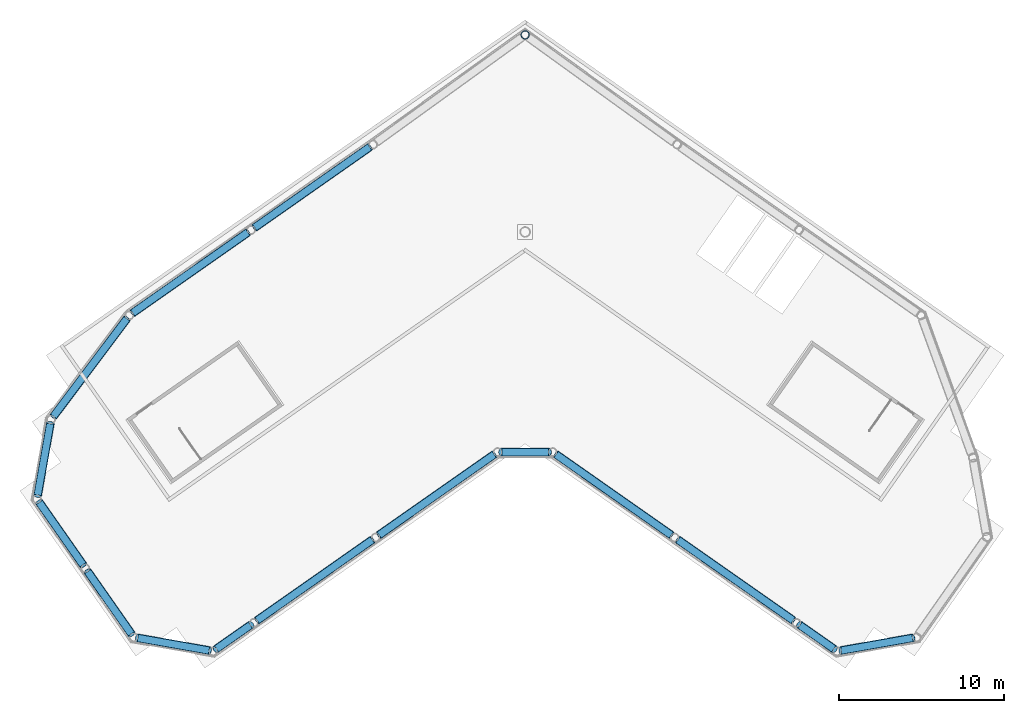
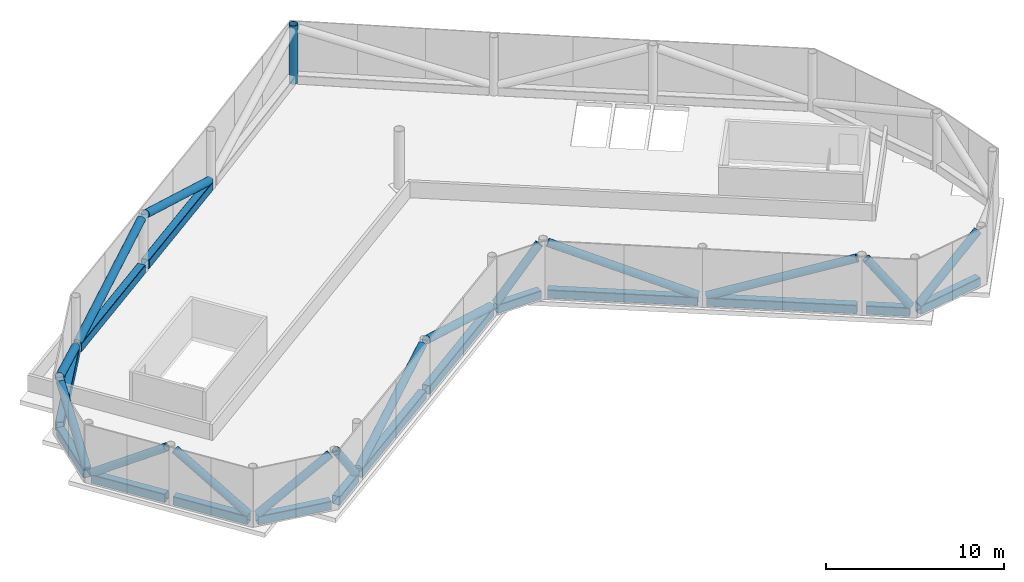
# One storey, part 2 of 4: 15 beams, 15 members, 1 column.
"""IFC4 building model written with IfcOpenShell, lengths in metres."""

from ifc_helpers import new_model, si_unit, direction, frame, origin, origin_2d, place, context, subcontext, project, spatial, hollow_rectangle, hollow_circle, extrude, material, material_profile, profile_set, type_object, element, save


model = new_model("IFC4")

# Units and contexts
model_context = context("Model", 3, precision=1e-05, world=origin(), true_north=direction((0.0, 1.0)))
body_context = subcontext(model_context, "Body", "Model", "MODEL_VIEW")
ifc_project = project(units=[si_unit("LENGTHUNIT", "METRE"), si_unit("AREAUNIT", "SQUARE_METRE"), si_unit("VOLUMEUNIT", "CUBIC_METRE"), si_unit("PLANEANGLEUNIT", "RADIAN"), si_unit("MASSUNIT", "GRAM", prefix="KILO")], contexts=[model_context])

# Site, building, storey
site_placement = place(None, origin())
site = spatial("IfcSite", under=ifc_project, at=site_placement, CompositionType="ELEMENT")
building_placement = place(site_placement, origin())
building = spatial("IfcBuilding", under=site, at=building_placement, Name="Tel Ilan Convention Tower", CompositionType="ELEMENT")
storey_placement = place(building_placement, frame((0.0, 0.0, 318.800048828125)))
storey = spatial("IfcBuildingStorey", under=building, at=storey_placement, Name="L75", CompositionType="ELEMENT", Elevation=318.800048828125)

# Column
ifc_material_1 = material(Name="Steel S355", Category="steel")
ifc_material_profile_1 = material_profile(ifc_material_1, hollow_circle(Radius=0.25390625, WallThickness=0.02490234375, at=origin_2d()), Name="CHS 508x25")
ifc_profile_set_1 = profile_set([ifc_material_profile_1], Name="Steel S355")
column_type = type_object("IfcColumnType", Name="CROWN FRAME COLUMN CHS 508x25", PredefinedType="COLUMN", material=ifc_profile_set_1)
column_placement = place(storey_placement, frame((0.0, 11.91796875, 0.0), z_axis=(0.0, 0.0, 1.0), x_axis=(1.0, 0.0, 0.0)))
element("IfcColumn", 1, at=column_placement, inside=storey, type_object=column_type, Name="CROWN FRAME column", PredefinedType="COLUMN", context=body_context, shape_type="SweptSolid", body=[
    extrude(hollow_circle(Radius=0.25390625, WallThickness=0.02490234375, at=origin_2d()), origin(), (0.0, 0.0, 1.0), 4.0),
])

# Members
ifc_material_2 = material(Name="Steel S355", Category="steel")
ifc_material_profile_2 = material_profile(ifc_material_2, hollow_circle(Radius=0.25390625, WallThickness=0.01611328125, at=origin_2d()), Name="CHS 508x16")
ifc_profile_set_2 = profile_set([ifc_material_profile_2], Name="Steel S355")
member_type = type_object("IfcMemberType", Name="CROWN FRAME BRACE CHS 508x16", PredefinedType="BRACE", material=ifc_profile_set_2)
member_1_placement = place(storey_placement, frame((-18.658935546875, -25.212158203125, 3.699951171875), z_axis=(0.513154068294, 0.359391994003, -0.779429468804), x_axis=(-0.573659598331, 0.819093807352, 0.0)))
element("IfcMember", 2, at=member_1_placement, inside=storey, type_object=member_type, Name="CROWN FRAME brace", PredefinedType="BRACE", context=body_context, shape_type="SweptSolid", body=[
    extrude(hollow_circle(Radius=0.25390625, WallThickness=0.01611328125, at=origin_2d()), origin(), (0.0, 0.0, 1.0), 3.977294921875),
])
member_2_placement = place(storey_placement, frame((-16.201904296875, -23.4912109375, 0.599853515625), z_axis=(0.769471121949, 0.538799932711, 0.342941430856), x_axis=(-0.573583902989, 0.819146816042, 0.0)))
element("IfcMember", 3, at=member_2_placement, inside=storey, type_object=member_type, Name="CROWN FRAME brace", PredefinedType="BRACE", context=body_context, shape_type="SweptSolid", body=[
    extrude(hollow_circle(Radius=0.25390625, WallThickness=0.01611328125, at=origin_2d()), origin(), (0.0, 0.0, 1.0), 9.039794921875),
])
member_3_placement = place(storey_placement, frame((-8.829833984375, -18.329345703125, 3.699951171875), z_axis=(0.76951518345, 0.538755146862, -0.342912925055), x_axis=(-0.57352987213, 0.819184646935, 0.0)))
element("IfcMember", 4, at=member_3_placement, inside=storey, type_object=member_type, Name="CROWN FRAME brace", PredefinedType="BRACE", context=body_context, shape_type="SweptSolid", body=[
    extrude(hollow_circle(Radius=0.25390625, WallThickness=0.01611328125, at=origin_2d()), origin(), (0.0, 0.0, 1.0), 9.04052734375),
])
member_4_placement = place(storey_placement, frame((-1.410888671875, -13.31298828125, 0.599853515625), z_axis=(0.673130674321, 0.0, 0.739523559658), x_axis=(0.0, 1.0, 0.0)))
element("IfcMember", 5, at=member_4_placement, inside=storey, type_object=member_type, Name="CROWN FRAME brace", PredefinedType="BRACE", context=body_context, shape_type="SweptSolid", body=[
    extrude(hollow_circle(Radius=0.25390625, WallThickness=0.01611328125, at=origin_2d()), origin(), (0.0, 0.0, 1.0), 4.192138671875),
])
member_5_placement = place(storey_placement, frame((1.873046875, -13.458740234375, 3.699951171875), z_axis=(0.76951518345, -0.538755146862, -0.342912925055), x_axis=(0.57352987213, 0.819184646935, 0.0)))
element("IfcMember", 6, at=member_5_placement, inside=storey, type_object=member_type, Name="CROWN FRAME brace", PredefinedType="BRACE", context=body_context, shape_type="SweptSolid", body=[
    extrude(hollow_circle(Radius=0.25390625, WallThickness=0.01611328125, at=origin_2d()), origin(), (0.0, 0.0, 1.0), 9.04052734375),
])
member_6_placement = place(storey_placement, frame((9.24609375, -18.62060546875, 0.599853515625), z_axis=(0.769471121949, -0.538799932711, 0.342941430856), x_axis=(0.573583902989, 0.819146816042, 0.0)))
element("IfcMember", 7, at=member_6_placement, inside=storey, type_object=member_type, Name="CROWN FRAME brace", PredefinedType="BRACE", context=body_context, shape_type="SweptSolid", body=[
    extrude(hollow_circle(Radius=0.25390625, WallThickness=0.01611328125, at=origin_2d()), origin(), (0.0, 0.0, 1.0), 9.039794921875),
])
member_7_placement = place(storey_placement, frame((16.617919921875, -23.78271484375, 3.699951171875), z_axis=(0.513154068294, -0.359391994003, -0.779429468804), x_axis=(0.573659598331, 0.819093807352, 0.0)))
element("IfcMember", 8, at=member_7_placement, inside=storey, type_object=member_type, Name="CROWN FRAME brace", PredefinedType="BRACE", context=body_context, shape_type="SweptSolid", body=[
    extrude(hollow_circle(Radius=0.25390625, WallThickness=0.01611328125, at=origin_2d()), origin(), (0.0, 0.0, 1.0), 3.977294921875),
])
member_8_placement = place(storey_placement, frame((19.1171875, -25.31396484375, 0.599853515625), z_axis=(0.803293693883, 0.141596914734, 0.5785063138), x_axis=(-0.173594152601, 0.984817277561, 0.0)))
element("IfcMember", 9, at=member_8_placement, inside=storey, type_object=member_type, Name="CROWN FRAME brace", PredefinedType="BRACE", context=body_context, shape_type="SweptSolid", body=[
    extrude(hollow_circle(Radius=0.25390625, WallThickness=0.01611328125, at=origin_2d()), origin(), (0.0, 0.0, 1.0), 5.35888671875),
])
member_9_placement = place(storey_placement, frame((-9.401123046875, 5.13720703125, 0.599853515625), z_axis=(-0.769471121949, -0.538799932711, 0.342941430856), x_axis=(0.573583902989, -0.819146816042, 0.0)))
element("IfcMember", 10, at=member_9_placement, inside=storey, type_object=member_type, Name="CROWN FRAME brace", PredefinedType="BRACE", context=body_context, shape_type="SweptSolid", body=[
    extrude(hollow_circle(Radius=0.25390625, WallThickness=0.01611328125, at=origin_2d()), origin(), (0.0, 0.0, 1.0), 9.039794921875),
])
member_10_placement = place(storey_placement, frame((-16.77294921875, -0.024658203125, 3.699951171875), z_axis=(-0.769437350705, -0.538865397163, -0.342914343649), x_axis=(0.573647554936, -0.819102241918, 0.0)))
element("IfcMember", 11, at=member_10_placement, inside=storey, type_object=member_type, Name="CROWN FRAME brace", PredefinedType="BRACE", context=body_context, shape_type="SweptSolid", body=[
    extrude(hollow_circle(Radius=0.25390625, WallThickness=0.01611328125, at=origin_2d()), origin(), (0.0, 0.0, 1.0), 9.04052734375),
])
member_11_placement = place(storey_placement, frame((-24.089599609375, -5.2451171875, 0.599853515625), z_axis=(-0.553791108922, -0.73714807924, 0.387205522884), x_axis=(0.799515545431, -0.600645396731, 0.0)))
element("IfcMember", 12, at=member_11_placement, inside=storey, type_object=member_type, Name="CROWN FRAME brace", PredefinedType="BRACE", context=body_context, shape_type="SweptSolid", body=[
    extrude(hollow_circle(Radius=0.25390625, WallThickness=0.01611328125, at=origin_2d()), origin(), (0.0, 0.0, 1.0), 8.00634765625),
])
member_12_placement = place(storey_placement, frame((-28.72021484375, -11.60009765625, 3.699951171875), z_axis=(-0.141596914734, -0.803293693883, -0.5785063138), x_axis=(0.984817277561, -0.173594152601, 0.0)))
element("IfcMember", 13, at=member_12_placement, inside=storey, type_object=member_type, Name="CROWN FRAME brace", PredefinedType="BRACE", context=body_context, shape_type="SweptSolid", body=[
    extrude(hollow_circle(Radius=0.25390625, WallThickness=0.01611328125, at=origin_2d()), origin(), (0.0, 0.0, 1.0), 5.35888671875),
])
member_13_placement = place(storey_placement, frame((-29.37744140625, -16.363037109375, 0.599853515625), z_axis=(0.475349575, -0.678963811751, 0.559509538686), x_axis=(0.819189459192, 0.573522998622, 0.0)))
element("IfcMember", 14, at=member_13_placement, inside=storey, type_object=member_type, Name="CROWN FRAME brace", PredefinedType="BRACE", context=body_context, shape_type="SweptSolid", body=[
    extrude(hollow_circle(Radius=0.25390625, WallThickness=0.01611328125, at=origin_2d()), origin(), (0.0, 0.0, 1.0), 5.540771484375),
])
member_14_placement = place(storey_placement, frame((-26.452392578125, -20.541015625, 3.699951171875), z_axis=(0.475485983849, -0.678906924123, -0.559462659648), x_axis=(0.819089549842, 0.573665677324, 0.0)))
element("IfcMember", 15, at=member_14_placement, inside=storey, type_object=member_type, Name="CROWN FRAME brace", PredefinedType="BRACE", context=body_context, shape_type="SweptSolid", body=[
    extrude(hollow_circle(Radius=0.25390625, WallThickness=0.01611328125, at=origin_2d()), origin(), (0.0, 0.0, 1.0), 5.541259765625),
])
member_15_placement = place(storey_placement, frame((-23.421875, -24.55517578125, 0.599853515625), z_axis=(0.803293693883, -0.141596914734, 0.5785063138), x_axis=(0.173594152601, 0.984817277561, 0.0)))
element("IfcMember", 16, at=member_15_placement, inside=storey, type_object=member_type, Name="CROWN FRAME brace", PredefinedType="BRACE", context=body_context, shape_type="SweptSolid", body=[
    extrude(hollow_circle(Radius=0.25390625, WallThickness=0.01611328125, at=origin_2d()), origin(), (0.0, 0.0, 1.0), 5.35888671875),
])

# Beams
ifc_material_3 = material(Name="Steel S355", Category="steel")
ifc_material_profile_3 = material_profile(ifc_material_3, hollow_rectangle(XDim=0.5, YDim=0.60009765625, WallThickness=0.02490234375, InnerFilletRadius=0.02490234375, OuterFilletRadius=0.050048828125, at=origin_2d()), Name="RHS 600x500x25")
ifc_profile_set_3 = profile_set([ifc_material_profile_3], Name="Steel S355")
beam_type = type_object("IfcBeamType", Name="CROWN FRAME RING BEAM RHS 600x500x25", PredefinedType="BEAM", material=ifc_profile_set_3)
beam_1_placement = place(storey_placement, frame((-18.658935546875, -25.212158203125, 0.300048828125), z_axis=(0.819093807352, 0.573659598331, 0.0), x_axis=(-0.573659598331, 0.819093807352, 0.0)))
element("IfcBeam", 17, at=beam_1_placement, inside=storey, type_object=beam_type, Name="CROWN FRAME ring beam", PredefinedType="BEAM", context=body_context, shape_type="SweptSolid", body=[
    extrude(hollow_rectangle(XDim=0.5, YDim=0.60009765625, WallThickness=0.02490234375, InnerFilletRadius=0.02490234375, OuterFilletRadius=0.050048828125, at=origin_2d()), origin(), (0.0, 0.0, 1.0), 2.49169921875),
])
beam_2_placement = place(storey_placement, frame((-16.201904296875, -23.4912109375, 0.300048828125), z_axis=(0.819146816042, 0.573583902989, 0.0), x_axis=(-0.573583902989, 0.819146816042, 0.0)))
element("IfcBeam", 18, at=beam_2_placement, inside=storey, type_object=beam_type, Name="CROWN FRAME ring beam", PredefinedType="BEAM", context=body_context, shape_type="SweptSolid", body=[
    extrude(hollow_rectangle(XDim=0.5, YDim=0.60009765625, WallThickness=0.02490234375, InnerFilletRadius=0.02490234375, OuterFilletRadius=0.050048828125, at=origin_2d()), origin(), (0.0, 0.0, 1.0), 8.491455078125),
])
beam_3_placement = place(storey_placement, frame((-8.829833984375, -18.329345703125, 0.300048828125), z_axis=(0.819184646935, 0.57352987213, 0.0), x_axis=(-0.57352987213, 0.819184646935, 0.0)))
element("IfcBeam", 19, at=beam_3_placement, inside=storey, type_object=beam_type, Name="CROWN FRAME ring beam", PredefinedType="BEAM", context=body_context, shape_type="SweptSolid", body=[
    extrude(hollow_rectangle(XDim=0.5, YDim=0.60009765625, WallThickness=0.02490234375, InnerFilletRadius=0.02490234375, OuterFilletRadius=0.050048828125, at=origin_2d()), origin(), (0.0, 0.0, 1.0), 8.492431640625),
])
beam_4_placement = place(storey_placement, frame((-1.410888671875, -13.31298828125, 0.300048828125), z_axis=(1.0, 0.0, 0.0), x_axis=(0.0, 1.0, 0.0)))
element("IfcBeam", 20, at=beam_4_placement, inside=storey, type_object=beam_type, Name="CROWN FRAME ring beam", PredefinedType="BEAM", context=body_context, shape_type="SweptSolid", body=[
    extrude(hollow_rectangle(XDim=0.5, YDim=0.60009765625, WallThickness=0.02490234375, InnerFilletRadius=0.02490234375, OuterFilletRadius=0.050048828125, at=origin_2d()), origin(), (0.0, 0.0, 1.0), 2.82177734375),
])
beam_5_placement = place(storey_placement, frame((1.873046875, -13.458740234375, 0.300048828125), z_axis=(0.819184646935, -0.57352987213, 0.0), x_axis=(0.57352987213, 0.819184646935, 0.0)))
element("IfcBeam", 21, at=beam_5_placement, inside=storey, type_object=beam_type, Name="CROWN FRAME ring beam", PredefinedType="BEAM", context=body_context, shape_type="SweptSolid", body=[
    extrude(hollow_rectangle(XDim=0.5, YDim=0.60009765625, WallThickness=0.02490234375, InnerFilletRadius=0.02490234375, OuterFilletRadius=0.050048828125, at=origin_2d()), origin(), (0.0, 0.0, 1.0), 8.492431640625),
])
beam_6_placement = place(storey_placement, frame((9.24609375, -18.62060546875, 0.300048828125), z_axis=(0.819146816042, -0.573583902989, 0.0), x_axis=(0.573583902989, 0.819146816042, 0.0)))
element("IfcBeam", 22, at=beam_6_placement, inside=storey, type_object=beam_type, Name="CROWN FRAME ring beam", PredefinedType="BEAM", context=body_context, shape_type="SweptSolid", body=[
    extrude(hollow_rectangle(XDim=0.5, YDim=0.60009765625, WallThickness=0.02490234375, InnerFilletRadius=0.02490234375, OuterFilletRadius=0.050048828125, at=origin_2d()), origin(), (0.0, 0.0, 1.0), 8.491455078125),
])
beam_7_placement = place(storey_placement, frame((16.617919921875, -23.78271484375, 0.300048828125), z_axis=(0.819093807352, -0.573659598331, 0.0), x_axis=(0.573659598331, 0.819093807352, 0.0)))
element("IfcBeam", 23, at=beam_7_placement, inside=storey, type_object=beam_type, Name="CROWN FRAME ring beam", PredefinedType="BEAM", context=body_context, shape_type="SweptSolid", body=[
    extrude(hollow_rectangle(XDim=0.5, YDim=0.60009765625, WallThickness=0.02490234375, InnerFilletRadius=0.02490234375, OuterFilletRadius=0.050048828125, at=origin_2d()), origin(), (0.0, 0.0, 1.0), 2.49169921875),
])
beam_8_placement = place(storey_placement, frame((19.1171875, -25.31396484375, 0.300048828125), z_axis=(0.984817277561, 0.173594152601, 0.0), x_axis=(-0.173594152601, 0.984817277561, 0.0)))
element("IfcBeam", 24, at=beam_8_placement, inside=storey, type_object=beam_type, Name="CROWN FRAME ring beam", PredefinedType="BEAM", context=body_context, shape_type="SweptSolid", body=[
    extrude(hollow_rectangle(XDim=0.5, YDim=0.60009765625, WallThickness=0.02490234375, InnerFilletRadius=0.02490234375, OuterFilletRadius=0.050048828125, at=origin_2d()), origin(), (0.0, 0.0, 1.0), 4.37109375),
])
beam_9_placement = place(storey_placement, frame((-9.401123046875, 5.13720703125, 0.300048828125), z_axis=(-0.819146816042, -0.573583902989, 0.0), x_axis=(0.573583902989, -0.819146816042, 0.0)))
element("IfcBeam", 25, at=beam_9_placement, inside=storey, type_object=beam_type, Name="CROWN FRAME ring beam", PredefinedType="BEAM", context=body_context, shape_type="SweptSolid", body=[
    extrude(hollow_rectangle(XDim=0.5, YDim=0.60009765625, WallThickness=0.02490234375, InnerFilletRadius=0.02490234375, OuterFilletRadius=0.050048828125, at=origin_2d()), origin(), (0.0, 0.0, 1.0), 8.491455078125),
])
beam_10_placement = place(storey_placement, frame((-16.77294921875, -0.024658203125, 0.300048828125), z_axis=(-0.819102241918, -0.573647554936, 0.0), x_axis=(0.573647554936, -0.819102241918, 0.0)))
element("IfcBeam", 26, at=beam_10_placement, inside=storey, type_object=beam_type, Name="CROWN FRAME ring beam", PredefinedType="BEAM", context=body_context, shape_type="SweptSolid", body=[
    extrude(hollow_rectangle(XDim=0.5, YDim=0.60009765625, WallThickness=0.02490234375, InnerFilletRadius=0.02490234375, OuterFilletRadius=0.050048828125, at=origin_2d()), origin(), (0.0, 0.0, 1.0), 8.4921875),
])
beam_11_placement = place(storey_placement, frame((-24.089599609375, -5.2451171875, 0.300048828125), z_axis=(-0.600645396731, -0.799515545431, 0.0), x_axis=(0.799515545431, -0.600645396731, 0.0)))
element("IfcBeam", 27, at=beam_11_placement, inside=storey, type_object=beam_type, Name="CROWN FRAME ring beam", PredefinedType="BEAM", context=body_context, shape_type="SweptSolid", body=[
    extrude(hollow_rectangle(XDim=0.5, YDim=0.60009765625, WallThickness=0.02490234375, InnerFilletRadius=0.02490234375, OuterFilletRadius=0.050048828125, at=origin_2d()), origin(), (0.0, 0.0, 1.0), 7.3818359375),
])
beam_12_placement = place(storey_placement, frame((-28.72021484375, -11.60009765625, 0.300048828125), z_axis=(-0.173594152601, -0.984817277561, 0.0), x_axis=(0.984817277561, -0.173594152601, 0.0)))
element("IfcBeam", 28, at=beam_12_placement, inside=storey, type_object=beam_type, Name="CROWN FRAME ring beam", PredefinedType="BEAM", context=body_context, shape_type="SweptSolid", body=[
    extrude(hollow_rectangle(XDim=0.5, YDim=0.60009765625, WallThickness=0.02490234375, InnerFilletRadius=0.02490234375, OuterFilletRadius=0.050048828125, at=origin_2d()), origin(), (0.0, 0.0, 1.0), 4.37109375),
])
beam_13_placement = place(storey_placement, frame((-29.37744140625, -16.363037109375, 0.300048828125), z_axis=(0.573522998622, -0.819189459192, 0.0), x_axis=(0.819189459192, 0.573522998622, 0.0)))
element("IfcBeam", 29, at=beam_13_placement, inside=storey, type_object=beam_type, Name="CROWN FRAME ring beam", PredefinedType="BEAM", context=body_context, shape_type="SweptSolid", body=[
    extrude(hollow_rectangle(XDim=0.5, YDim=0.60009765625, WallThickness=0.02490234375, InnerFilletRadius=0.02490234375, OuterFilletRadius=0.050048828125, at=origin_2d()), origin(), (0.0, 0.0, 1.0), 4.59228515625),
])
beam_14_placement = place(storey_placement, frame((-26.452392578125, -20.541015625, 0.300048828125), z_axis=(0.573665677324, -0.819089549842, 0.0), x_axis=(0.819089549842, 0.573665677324, 0.0)))
element("IfcBeam", 30, at=beam_14_placement, inside=storey, type_object=beam_type, Name="CROWN FRAME ring beam", PredefinedType="BEAM", context=body_context, shape_type="SweptSolid", body=[
    extrude(hollow_rectangle(XDim=0.5, YDim=0.60009765625, WallThickness=0.02490234375, InnerFilletRadius=0.02490234375, OuterFilletRadius=0.050048828125, at=origin_2d()), origin(), (0.0, 0.0, 1.0), 4.5927734375),
])
beam_15_placement = place(storey_placement, frame((-23.421875, -24.55517578125, 0.300048828125), z_axis=(0.984817277561, -0.173594152601, 0.0), x_axis=(0.173594152601, 0.984817277561, 0.0)))
element("IfcBeam", 31, at=beam_15_placement, inside=storey, type_object=beam_type, Name="CROWN FRAME ring beam", PredefinedType="BEAM", context=body_context, shape_type="SweptSolid", body=[
    extrude(hollow_rectangle(XDim=0.5, YDim=0.60009765625, WallThickness=0.02490234375, InnerFilletRadius=0.02490234375, OuterFilletRadius=0.050048828125, at=origin_2d()), origin(), (0.0, 0.0, 1.0), 4.37109375),
])

save(model, "model.ifc")
